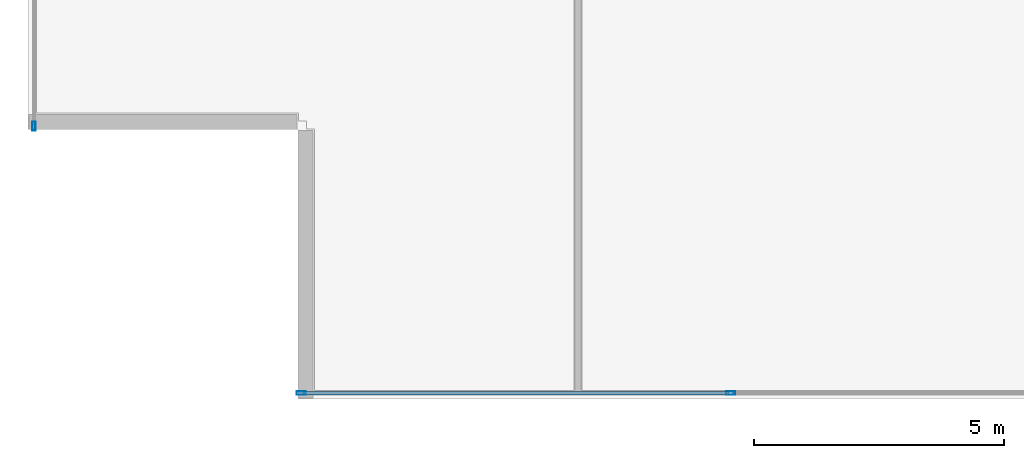
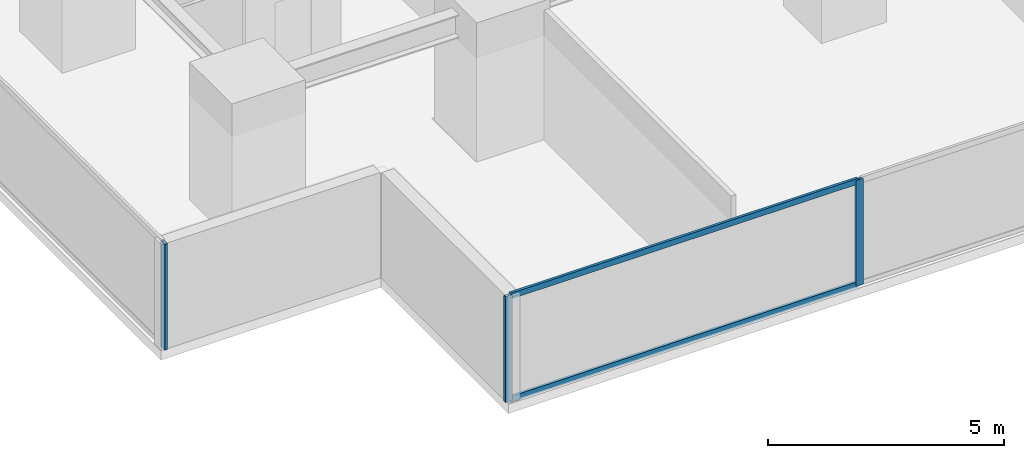
# One storey, part 2 of 33: 5 members, 2 elements without a shape of their own.
"""IFC4 building model written with IfcOpenShell, lengths in metres."""

from ifc_helpers import new_model, si_unit, direction, frame, origin, origin_2d, place, context, subcontext, project, spatial, hollow_rectangle, extrude, source, transform, mapped, material, layer, layer_set, material_profile, profile_set, type_object, element, aggregate, save


model = new_model("IFC4")

# Units and contexts
model_context = context("Model", 3, precision=1e-05, world=origin(), true_north=direction((0.0, 1.0)))
body_context = subcontext(model_context, "Body", "Model", "MODEL_VIEW")
ifc_project = project(units=[si_unit("LENGTHUNIT", "METRE"), si_unit("AREAUNIT", "SQUARE_METRE"), si_unit("VOLUMEUNIT", "CUBIC_METRE"), si_unit("PLANEANGLEUNIT", "RADIAN"), si_unit("MASSUNIT", "GRAM", prefix="KILO")], contexts=[model_context])

# Site, building, storey
site_placement = place(None, origin())
site = spatial("IfcSite", under=ifc_project, at=site_placement, CompositionType="ELEMENT")
building_placement = place(site_placement, origin())
building = spatial("IfcBuilding", under=site, at=building_placement, Name="Sumidabori Civic Tower", CompositionType="ELEMENT")
storey_placement = place(building_placement, frame((0.0, 0.0, 27.199951171875)))
storey = spatial("IfcBuildingStorey", under=building, at=storey_placement, Name="L06", CompositionType="ELEMENT", Elevation=27.199951171875)

# Curtain wall, members
ifc_material = material(Name="Anodised Bronze Aluminium AW-6063-T6", Category="aluminium")
ifc_layer = layer(ifc_material, 0.179931640625, Name="Anodised Bronze Aluminium AW-6063-T6")
ifc_layer_set = layer_set([ifc_layer], Name="Anodised Bronze Aluminium AW-6063-T6")
curtain_wall_type = type_object("IfcCurtainWallType", Name="CW-SYS-2", PredefinedType="NOTDEFINED", material=ifc_layer_set)
curtain_wall_1_placement = place(storey_placement, origin())
curtain_wall_1 = element("IfcCurtainWall", 1, at=curtain_wall_1_placement, inside=storey, type_object=curtain_wall_type, Name="Curtain Wall CW:L06:R01", PredefinedType="NOTDEFINED")
ifc_material_profile_1 = material_profile(ifc_material, hollow_rectangle(XDim=0.070068359375, YDim=0.179931640625, WallThickness=0.006103515625, at=origin_2d()), Name="ALU MULLION 180x70")
ifc_profile_set_1 = profile_set([ifc_material_profile_1], Name="Anodised Bronze Aluminium AW-6063-T6")
member_type_1 = type_object("IfcMemberType", Name="CW-MUL-180", PredefinedType="MULLION", material=ifc_profile_set_1)
shared_shape_1 = source(origin(), body_context, "Body", "SweptSolid", [
    extrude(hollow_rectangle(XDim=0.070068359375, YDim=0.179931640625, WallThickness=0.006103515625, at=origin_2d()), origin(), (0.0, 0.0, 1.0), 2.739990234375),
])
member_1_placement = place(storey_placement, frame((-21.534912109375, -26.8798828125, 0.0), z_axis=(0.0, 0.0, 1.0), x_axis=(0.0, 1.0, 0.0)))
member_1 = element("IfcMember", 2, at=member_1_placement, type_object=member_type_1, Name="CW-2 mullion 1", PredefinedType="MULLION", context=body_context, shape_type="MappedRepresentation", body=[
    mapped(shared_shape_1, transform((0.0, 0.0, 0.0), x_axis=(1.0, 0.0, 0.0), y_axis=(0.0, 1.0, 0.0), z_axis=(0.0, 0.0, 1.0), scale=1.0)),
])
member_2_placement = place(storey_placement, frame((-12.94189453125, -26.8798828125, 0.0), z_axis=(0.0, 0.0, 1.0), x_axis=(0.0, 1.0, 0.0)))
member_2 = element("IfcMember", 3, at=member_2_placement, type_object=member_type_1, Name="CW-2 mullion 2", PredefinedType="MULLION", context=body_context, shape_type="MappedRepresentation", body=[
    mapped(shared_shape_1, transform((0.0, 0.0, 0.0), x_axis=(1.0, 0.0, 0.0), y_axis=(0.0, 1.0, 0.0), z_axis=(0.0, 0.0, 1.0), scale=1.0)),
])

# Curtain wall, member
curtain_wall_2_placement = place(storey_placement, origin())
curtain_wall_2 = element("IfcCurtainWall", 4, at=curtain_wall_2_placement, inside=storey, type_object=curtain_wall_type, Name="Curtain Wall CW:L06:R10", PredefinedType="NOTDEFINED")
member_3_placement = place(storey_placement, frame((-26.8798828125, -21.534912109375, 0.0), z_axis=(0.0, 0.0, 1.0), x_axis=(1.0, 0.0, 0.0)))
member_3 = element("IfcMember", 5, at=member_3_placement, type_object=member_type_1, Name="CW-2 mullion 6", PredefinedType="MULLION", context=body_context, shape_type="MappedRepresentation", body=[
    mapped(shared_shape_1, transform((0.0, 0.0, 0.0), x_axis=(1.0, 0.0, 0.0), y_axis=(0.0, 1.0, 0.0), z_axis=(0.0, 0.0, 1.0), scale=1.0)),
])
aggregate(curtain_wall_2, [member_3])

# Member
ifc_material_profile_2 = material_profile(ifc_material, hollow_rectangle(XDim=0.06494140625, YDim=0.14990234375, WallThickness=0.0048828125, at=origin_2d()), Name="ALU TRANSOM 150x65")
ifc_profile_set_2 = profile_set([ifc_material_profile_2], Name="Anodised Bronze Aluminium AW-6063-T6")
member_type_2 = type_object("IfcMemberType", Name="CW-TRN-150", PredefinedType="USERDEFINED", material=ifc_profile_set_2)
shared_shape_2 = source(origin(), body_context, "Body", "SweptSolid", [
    extrude(hollow_rectangle(XDim=0.06494140625, YDim=0.14990234375, WallThickness=0.0048828125, at=origin_2d()), origin(), (0.0, 0.0, 1.0), 8.52294921875),
])
member_4_placement = place(storey_placement, frame((-21.5, -26.8798828125, 0.032470703125), z_axis=(1.0, 0.0, 0.0), x_axis=(0.0, 1.0, 0.0)))
member_4 = element("IfcMember", 6, at=member_4_placement, type_object=member_type_2, Name="CW-2 transom 1.1", ObjectType="TRANSOM", PredefinedType="USERDEFINED", context=body_context, shape_type="MappedRepresentation", body=[
    mapped(shared_shape_2, transform((0.0, 0.0, 0.0), x_axis=(1.0, 0.0, 0.0), y_axis=(0.0, 1.0, 0.0), z_axis=(0.0, 0.0, 1.0), scale=1.0)),
])

member_5_placement = place(storey_placement, frame((-21.5, -26.8798828125, 2.70751953125), z_axis=(1.0, 0.0, 0.0), x_axis=(0.0, 1.0, 0.0)))
member_5 = element("IfcMember", 7, at=member_5_placement, type_object=member_type_2, Name="CW-2 transom 1.2", ObjectType="TRANSOM", PredefinedType="USERDEFINED", context=body_context, shape_type="MappedRepresentation", body=[
    mapped(shared_shape_2, transform((0.0, 0.0, 0.0), x_axis=(1.0, 0.0, 0.0), y_axis=(0.0, 1.0, 0.0), z_axis=(0.0, 0.0, 1.0), scale=1.0)),
])

aggregate(curtain_wall_1, [member_1, member_2, member_4, member_5])

save(model, "model.ifc")
